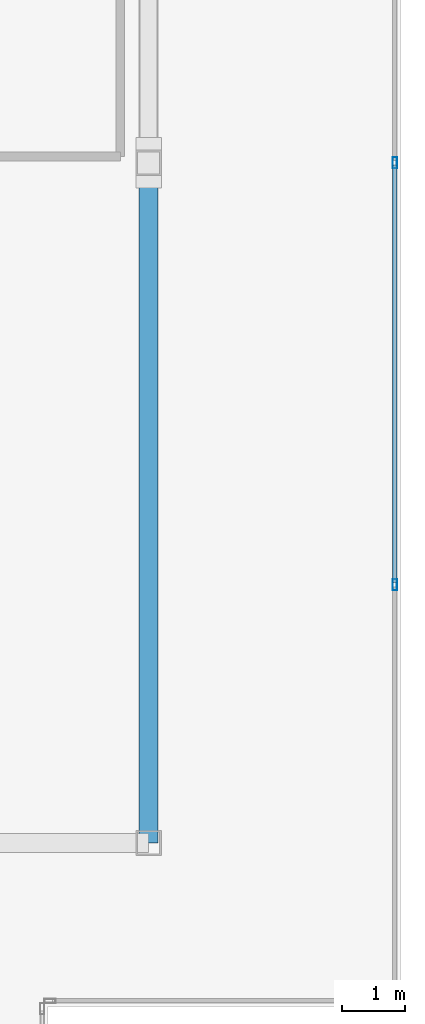
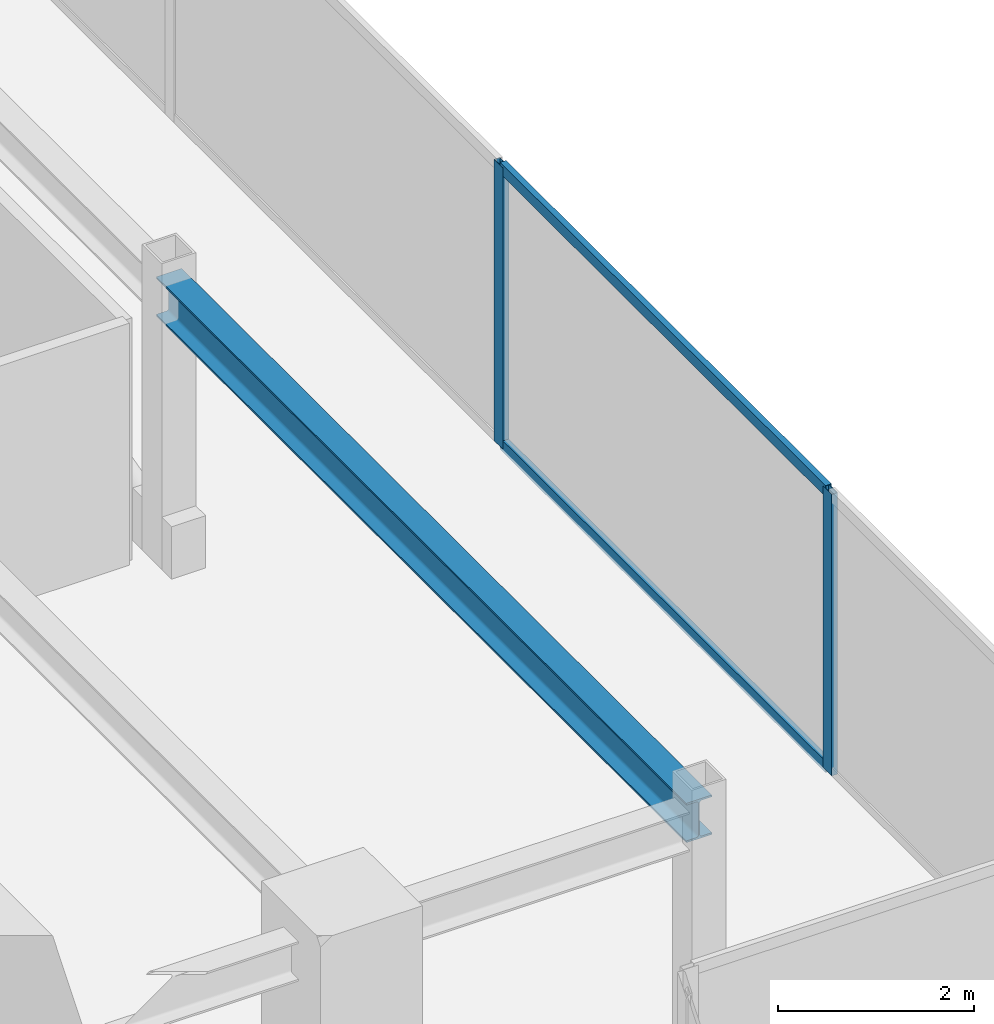
# One storey, part 17 of 25: 4 members, 1 beam, 1 element without a shape of its own.
"""IFC4 building model written with IfcOpenShell, lengths in metres."""

from ifc_helpers import new_model, si_unit, direction, frame, origin, origin_2d, place, context, subcontext, project, spatial, hollow_rectangle, i_section, extrude, source, transform, mapped, material, material_profile, profile_set, type_object, type_shapes, element, aggregate, save


model = new_model("IFC4")

# Units and contexts
model_context = context("Model", 3, precision=1e-05, world=origin(), true_north=direction((0.0, 1.0)))
body_context = subcontext(model_context, "Body", "Model", "MODEL_VIEW")
ifc_project = project(units=[si_unit("LENGTHUNIT", "METRE"), si_unit("AREAUNIT", "SQUARE_METRE"), si_unit("VOLUMEUNIT", "CUBIC_METRE"), si_unit("PLANEANGLEUNIT", "RADIAN"), si_unit("MASSUNIT", "GRAM", prefix="KILO")], contexts=[model_context])

# Site, building, storey
site_placement = place(None, origin())
site = spatial("IfcSite", under=ifc_project, at=site_placement, CompositionType="ELEMENT")
building_placement = place(site_placement, origin())
building = spatial("IfcBuilding", under=site, at=building_placement, Name="Krantzveldt Concourse Tower", CompositionType="ELEMENT")
storey_placement = place(building_placement, frame((0.0, 0.0, 367.050048828125)))
storey = spatial("IfcBuildingStorey", under=building, at=storey_placement, Name="L90", CompositionType="ELEMENT", Elevation=367.050048828125)

# Beam
ifc_material_1 = material(Name="Steel S355JR", Category="steel")
ifc_material_profile_1 = material_profile(ifc_material_1, i_section(OverallWidth=0.300048828125, OverallDepth=0.489990234375, WebThickness=0.011962890625, FlangeThickness=0.02294921875, FilletRadius=0.027099609375, at=origin_2d()), Name="Steel S355JR", Category="steel")
ifc_profile_set_1 = profile_set([ifc_material_profile_1], Name="Steel S355JR - HEA 500")
beam_type = type_object("IfcBeamType", Name="BM-B-HEA500", PredefinedType="BEAM", material=ifc_profile_set_1)
shared_shape_1 = source(origin(), body_context, "Body", "SweptSolid", [
    extrude(i_section(OverallWidth=0.300048828125, OverallDepth=0.489990234375, WebThickness=0.011962890625, FlangeThickness=0.02294921875, FilletRadius=0.027099609375, at=origin_2d()), origin(), (0.0, 0.0, 1.0), 10.800048828125),
])
type_shapes(beam_type, [shared_shape_1])
beam_placement = place(storey_placement, frame((51.0, 15.89990234375, 3.2548828125), z_axis=(0.0, 1.0, 0.0), x_axis=(-1.0, 0.0, 0.0)))
element("IfcBeam", 1, at=beam_placement, inside=storey, type_object=beam_type, Name="L90 Crown Girder EAST-1", PredefinedType="BEAM", context=body_context, shape_type="MappedRepresentation", body=[
    mapped(shared_shape_1, transform((0.0, 0.0, 0.0), x_axis=(1.0, 0.0, 0.0), y_axis=(0.0, 1.0, 0.0), z_axis=(0.0, 0.0, 1.0), scale=1.0)),
])

# Curtain wall, members
ifc_material_2 = material(Name="Anodised aluminium 6063-T6", Category="aluminium")
curtain_wall_type = type_object("IfcCurtainWallType", Name="CW7", PredefinedType="USERDEFINED", material=ifc_material_2)
curtain_wall_placement = place(storey_placement, origin())
curtain_wall = element("IfcCurtainWall", 2, at=curtain_wall_placement, inside=storey, type_object=curtain_wall_type, Name="CW-L90-EAST-03", ObjectType="UNITISED CURTAIN WALL", PredefinedType="USERDEFINED")
ifc_material_profile_2 = material_profile(ifc_material_2, hollow_rectangle(XDim=0.070068359375, YDim=0.139892578125, WallThickness=0.0048828125, at=origin_2d()), Name="Anodised aluminium 6063-T6", Category="aluminium")
ifc_profile_set_2 = profile_set([ifc_material_profile_2], Name="Anodised aluminium 6063-T6 - ALU-TRAN 140x70x5")
member_type_1 = type_object("IfcMemberType", Name="CW-TRN-150", PredefinedType="USERDEFINED", material=ifc_profile_set_2)
shared_shape_2 = source(origin(), body_context, "Body", "SweptSolid", [
    extrude(hollow_rectangle(XDim=0.070068359375, YDim=0.139892578125, WallThickness=0.0048828125, at=origin_2d()), origin(), (0.0, 0.0, 1.0), 6.630126953125),
])
type_shapes(member_type_1, [shared_shape_2])
member_1_placement = place(storey_placement, frame((54.909912109375, 20.034912109375, 0.034912109375), z_axis=(0.0, 1.0, 0.0), x_axis=(-1.0, 0.0, 0.0)))
member_1 = element("IfcMember", 3, at=member_1_placement, type_object=member_type_1, Name="CW-CRN transom 2.1", ObjectType="TRANSOM", PredefinedType="USERDEFINED", context=body_context, shape_type="MappedRepresentation", body=[
    mapped(shared_shape_2, transform((0.0, 0.0, 0.0), x_axis=(1.0, 0.0, 0.0), y_axis=(0.0, 1.0, 0.0), z_axis=(0.0, 0.0, 1.0), scale=1.0)),
])
member_2_placement = place(storey_placement, frame((54.909912109375, 20.034912109375, 3.46484375), z_axis=(0.0, 1.0, 0.0), x_axis=(-1.0, 0.0, 0.0)))
member_2 = element("IfcMember", 4, at=member_2_placement, type_object=member_type_1, Name="CW-CRN transom 2.2", ObjectType="TRANSOM", PredefinedType="USERDEFINED", context=body_context, shape_type="MappedRepresentation", body=[
    mapped(shared_shape_2, transform((0.0, 0.0, 0.0), x_axis=(1.0, 0.0, 0.0), y_axis=(0.0, 1.0, 0.0), z_axis=(0.0, 0.0, 1.0), scale=1.0)),
])
ifc_material_profile_3 = material_profile(ifc_material_2, hollow_rectangle(XDim=0.070068359375, YDim=0.179931640625, WallThickness=0.0048828125, at=origin_2d()), Name="Anodised aluminium 6063-T6", Category="aluminium")
ifc_profile_set_3 = profile_set([ifc_material_profile_3], Name="Anodised aluminium 6063-T6 - ALU-MULL 180x70x5")
member_type_2 = type_object("IfcMemberType", Name="CW-MUL-180", PredefinedType="MULLION", material=ifc_profile_set_3)
shared_shape_3 = source(origin(), body_context, "Body", "SweptSolid", [
    extrude(hollow_rectangle(XDim=0.070068359375, YDim=0.179931640625, WallThickness=0.0048828125, at=origin_2d()), origin(), (0.0, 0.0, 1.0), 3.5),
])
type_shapes(member_type_2, [shared_shape_3])
member_3_placement = place(storey_placement, frame((54.909912109375, 20.0, 0.0), z_axis=(0.0, 0.0, 1.0), x_axis=(-1.0, 0.0, 0.0)))
member_3 = element("IfcMember", 5, at=member_3_placement, type_object=member_type_2, Name="CW-CRN mullion 2", PredefinedType="MULLION", context=body_context, shape_type="MappedRepresentation", body=[
    mapped(shared_shape_3, transform((0.0, 0.0, 0.0), x_axis=(1.0, 0.0, 0.0), y_axis=(0.0, 1.0, 0.0), z_axis=(0.0, 0.0, 1.0), scale=1.0)),
])
member_4_placement = place(storey_placement, frame((54.909912109375, 26.699951171875, 0.0), z_axis=(0.0, 0.0, 1.0), x_axis=(-1.0, 0.0, 0.0)))
member_4 = element("IfcMember", 6, at=member_4_placement, type_object=member_type_2, Name="CW-CRN mullion 3", PredefinedType="MULLION", context=body_context, shape_type="MappedRepresentation", body=[
    mapped(shared_shape_3, transform((0.0, 0.0, 0.0), x_axis=(1.0, 0.0, 0.0), y_axis=(0.0, 1.0, 0.0), z_axis=(0.0, 0.0, 1.0), scale=1.0)),
])
aggregate(curtain_wall, [member_3, member_4, member_1, member_2])

save(model, "model.ifc")
